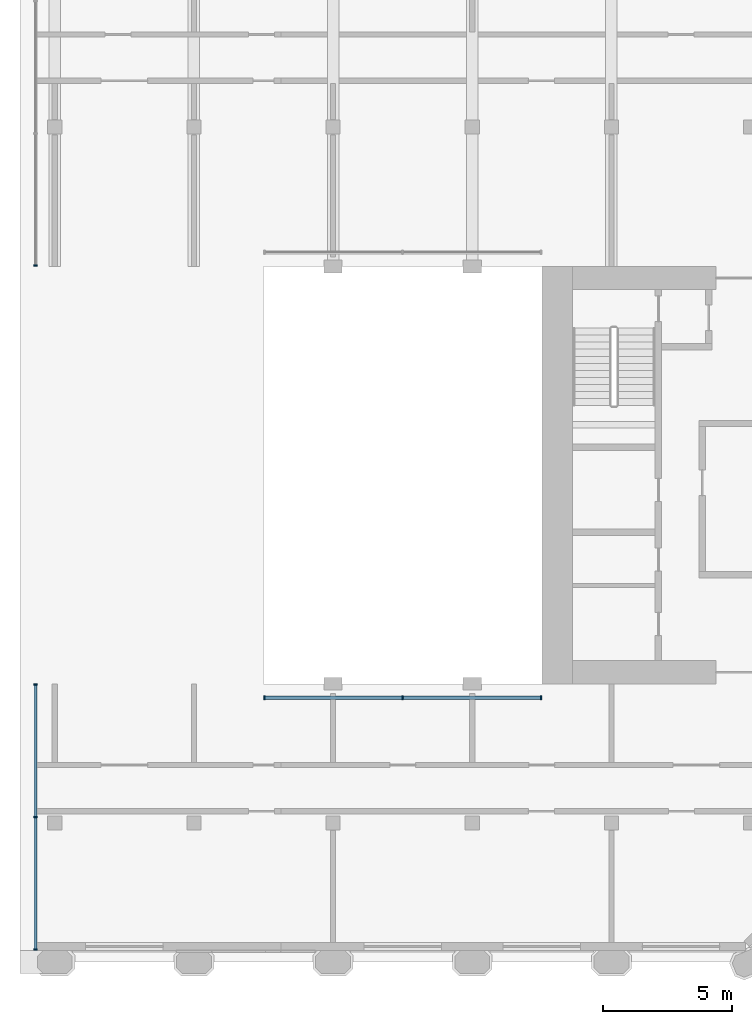
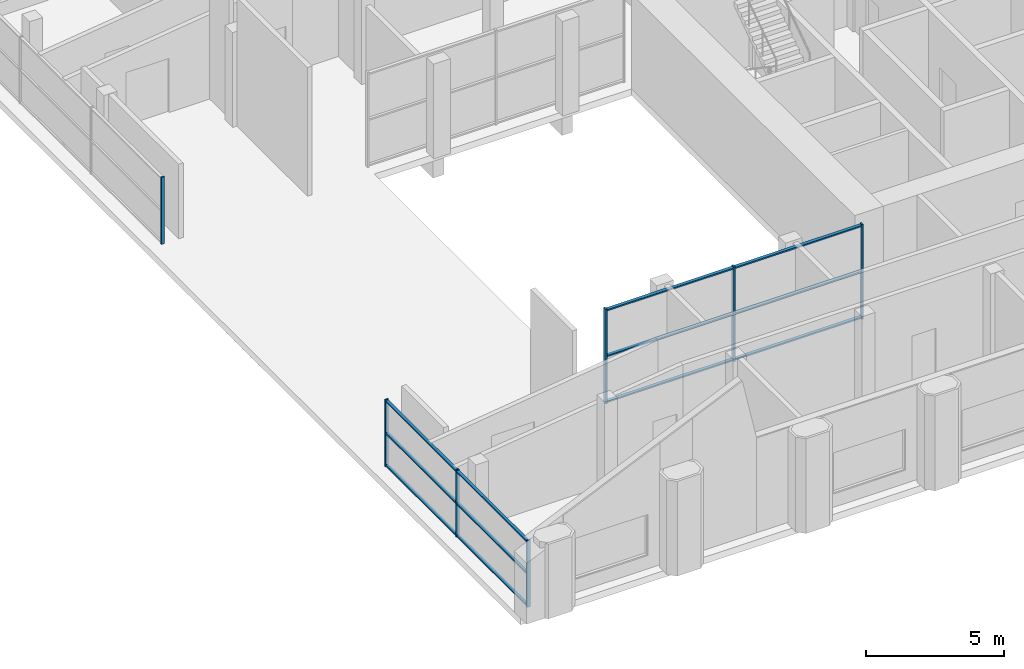
# One storey, part 2 of 9: 19 members, 3 elements without a shape of their own.
"""IFC4 building model written with IfcOpenShell, lengths in metres."""

from ifc_helpers import new_model, si_unit, direction, frame, origin, origin_2d, place, context, subcontext, project, spatial, rectangle, extrude, material, material_profile, profile_set, type_object, element, aggregate, save


model = new_model("IFC4")

# Units and contexts
model_context = context("Model", 3, precision=1e-05, world=origin(), true_north=direction((0.0, 1.0)))
body_context = subcontext(model_context, "Body", "Model", "MODEL_VIEW")
ifc_project = project(units=[si_unit("LENGTHUNIT", "METRE"), si_unit("AREAUNIT", "SQUARE_METRE"), si_unit("VOLUMEUNIT", "CUBIC_METRE"), si_unit("PLANEANGLEUNIT", "RADIAN"), si_unit("MASSUNIT", "GRAM", prefix="KILO")], contexts=[model_context])

# Site, building, storey
site_placement = place(None, origin())
site = spatial("IfcSite", under=ifc_project, at=site_placement, CompositionType="ELEMENT")
building_placement = place(site_placement, origin())
building = spatial("IfcBuilding", under=site, at=building_placement, Name="Tabaq Tower and Sports Hall", CompositionType="ELEMENT")
storey_placement = place(building_placement, frame((0.0, 0.0, 326.199951171875)))
storey = spatial("IfcBuildingStorey", under=building, at=storey_placement, Name="L81", CompositionType="ELEMENT", Elevation=326.199951171875)

# Curtain wall, members
ifc_material_1 = material(Name="Aluminium alloy 6063-T6 framed glazing", Category="aluminium")
curtain_wall_type_1 = type_object("IfcCurtainWallType", Name="CW1 curtain wall", PredefinedType="USERDEFINED", material=ifc_material_1)
curtain_wall_1_placement = place(storey_placement, origin())
curtain_wall_1 = element("IfcCurtainWall", 1, at=curtain_wall_1_placement, inside=storey, type_object=curtain_wall_type_1, Name="Atrium glazing L81 S", ObjectType="ATRIUM ENCLOSURE", PredefinedType="USERDEFINED")
ifc_material_2 = material(Name="Aluminium alloy 6063-T6", Category="aluminium")
ifc_material_profile_1 = material_profile(ifc_material_2, rectangle(XDim=0.159912109375, YDim=0.06005859375, at=origin_2d()), Name="MULLION 160x60")
ifc_profile_set_1 = profile_set([ifc_material_profile_1], Name="Aluminium alloy 6063-T6")
member_type_1 = type_object("IfcMemberType", Name="CW1 mullion 160x60", PredefinedType="MULLION", material=ifc_profile_set_1)
member_1_placement = place(storey_placement, frame((18.929931640625, 15.64990234375, 0.0), z_axis=(0.0, 0.0, 1.0), x_axis=(0.0, 1.0, 0.0)))
member_1 = element("IfcMember", 2, at=member_1_placement, type_object=member_type_1, Name="CW1 mullion 1", PredefinedType="MULLION", context=body_context, shape_type="SweptSolid", body=[
    extrude(rectangle(XDim=0.159912109375, YDim=0.06005859375, at=origin_2d()), origin(), (0.0, 0.0, 1.0), 4.199951171875),
])
member_2_placement = place(storey_placement, frame((24.300048828125, 15.64990234375, 0.0), z_axis=(0.0, 0.0, 1.0), x_axis=(0.0, 1.0, 0.0)))
member_2 = element("IfcMember", 3, at=member_2_placement, type_object=member_type_1, Name="CW1 mullion 2", PredefinedType="MULLION", context=body_context, shape_type="SweptSolid", body=[
    extrude(rectangle(XDim=0.159912109375, YDim=0.06005859375, at=origin_2d()), origin(), (0.0, 0.0, 1.0), 4.199951171875),
])
member_3_placement = place(storey_placement, frame((29.669921875, 15.64990234375, 0.0), z_axis=(0.0, 0.0, 1.0), x_axis=(0.0, 1.0, 0.0)))
member_3 = element("IfcMember", 4, at=member_3_placement, type_object=member_type_1, Name="CW1 mullion 3", PredefinedType="MULLION", context=body_context, shape_type="SweptSolid", body=[
    extrude(rectangle(XDim=0.159912109375, YDim=0.06005859375, at=origin_2d()), origin(), (0.0, 0.0, 1.0), 4.199951171875),
])
ifc_material_3 = material(Name="Aluminium alloy 6063-T6", Category="aluminium")
ifc_material_profile_2 = material_profile(ifc_material_3, rectangle(XDim=0.139892578125, YDim=0.06005859375, at=origin_2d()), Name="TRANSOM 140x60")
ifc_profile_set_2 = profile_set([ifc_material_profile_2], Name="Aluminium alloy 6063-T6")
member_type_2 = type_object("IfcMemberType", Name="CW1 transom 140x60", PredefinedType="USERDEFINED", material=ifc_profile_set_2)
member_4_placement = place(storey_placement, frame((18.9599609375, 15.64990234375, 0.070068359375), z_axis=(1.0, 0.0, 0.0), x_axis=(0.0, 1.0, 0.0)))
member_4 = element("IfcMember", 5, at=member_4_placement, type_object=member_type_2, Name="CW1 transom 1.1", ObjectType="TRANSOM", PredefinedType="USERDEFINED", context=body_context, shape_type="SweptSolid", body=[
    extrude(rectangle(XDim=0.139892578125, YDim=0.06005859375, at=origin_2d()), origin(), (0.0, 0.0, 1.0), 5.31005859375),
])
member_5_placement = place(storey_placement, frame((18.9599609375, 15.64990234375, 2.10009765625), z_axis=(1.0, 0.0, 0.0), x_axis=(0.0, 1.0, 0.0)))
member_5 = element("IfcMember", 6, at=member_5_placement, type_object=member_type_2, Name="CW1 transom 1.2", ObjectType="TRANSOM", PredefinedType="USERDEFINED", context=body_context, shape_type="SweptSolid", body=[
    extrude(rectangle(XDim=0.139892578125, YDim=0.06005859375, at=origin_2d()), origin(), (0.0, 0.0, 1.0), 5.31005859375),
])
member_6_placement = place(storey_placement, frame((18.9599609375, 15.64990234375, 4.130126953125), z_axis=(1.0, 0.0, 0.0), x_axis=(0.0, 1.0, 0.0)))
member_6 = element("IfcMember", 7, at=member_6_placement, type_object=member_type_2, Name="CW1 transom 1.3", ObjectType="TRANSOM", PredefinedType="USERDEFINED", context=body_context, shape_type="SweptSolid", body=[
    extrude(rectangle(XDim=0.139892578125, YDim=0.06005859375, at=origin_2d()), origin(), (0.0, 0.0, 1.0), 5.31005859375),
])
member_7_placement = place(storey_placement, frame((24.330078125, 15.64990234375, 0.070068359375), z_axis=(1.0, 0.0, 0.0), x_axis=(0.0, 1.0, 0.0)))
member_7 = element("IfcMember", 8, at=member_7_placement, type_object=member_type_2, Name="CW1 transom 2.1", ObjectType="TRANSOM", PredefinedType="USERDEFINED", context=body_context, shape_type="SweptSolid", body=[
    extrude(rectangle(XDim=0.139892578125, YDim=0.06005859375, at=origin_2d()), origin(), (0.0, 0.0, 1.0), 5.309814453125),
])
member_8_placement = place(storey_placement, frame((24.330078125, 15.64990234375, 2.10009765625), z_axis=(1.0, 0.0, 0.0), x_axis=(0.0, 1.0, 0.0)))
member_8 = element("IfcMember", 9, at=member_8_placement, type_object=member_type_2, Name="CW1 transom 2.2", ObjectType="TRANSOM", PredefinedType="USERDEFINED", context=body_context, shape_type="SweptSolid", body=[
    extrude(rectangle(XDim=0.139892578125, YDim=0.06005859375, at=origin_2d()), origin(), (0.0, 0.0, 1.0), 5.309814453125),
])
member_9_placement = place(storey_placement, frame((24.330078125, 15.64990234375, 4.130126953125), z_axis=(1.0, 0.0, 0.0), x_axis=(0.0, 1.0, 0.0)))
member_9 = element("IfcMember", 10, at=member_9_placement, type_object=member_type_2, Name="CW1 transom 2.3", ObjectType="TRANSOM", PredefinedType="USERDEFINED", context=body_context, shape_type="SweptSolid", body=[
    extrude(rectangle(XDim=0.139892578125, YDim=0.06005859375, at=origin_2d()), origin(), (0.0, 0.0, 1.0), 5.309814453125),
])
aggregate(curtain_wall_1, [member_1, member_2, member_3, member_4, member_5, member_6, member_7, member_8, member_9])

# Curtain wall, member
ifc_material_4 = material(Name="Aluminium alloy 6063-T6 framed glazing", Category="aluminium")
curtain_wall_type_2 = type_object("IfcCurtainWallType", Name="CW5 curtain wall", PredefinedType="USERDEFINED", material=ifc_material_4)
curtain_wall_2_placement = place(storey_placement, origin())
curtain_wall_2 = element("IfcCurtainWall", 11, at=curtain_wall_2_placement, inside=storey, type_object=curtain_wall_type_2, Name="Crown riser glazing L81", ObjectType="CROWN GLAZING", PredefinedType="USERDEFINED")
ifc_material_5 = material(Name="Aluminium alloy 6063-T6", Category="aluminium")
ifc_material_profile_3 = material_profile(ifc_material_5, rectangle(XDim=0.139892578125, YDim=0.06005859375, at=origin_2d()), Name="MULLION 140x60")
ifc_profile_set_3 = profile_set([ifc_material_profile_3], Name="Aluminium alloy 6063-T6")
member_type_3 = type_object("IfcMemberType", Name="CW5 mullion 140x60", PredefinedType="MULLION", material=ifc_profile_set_3)
member_10_placement = place(storey_placement, frame((10.050048828125, 32.429931640625, 0.0), z_axis=(0.0, 0.0, 1.0), x_axis=(1.0, 0.0, 0.0)))
member_10 = element("IfcMember", 12, at=member_10_placement, type_object=member_type_3, Name="CW5 mullion 4", PredefinedType="MULLION", context=body_context, shape_type="SweptSolid", body=[
    extrude(rectangle(XDim=0.139892578125, YDim=0.06005859375, at=origin_2d()), origin(), (0.0, 0.0, 1.0), 2.966796875),
])
aggregate(curtain_wall_2, [member_10])

# Curtain wall, members
curtain_wall_3_placement = place(storey_placement, origin())
curtain_wall_3 = element("IfcCurtainWall", 13, at=curtain_wall_3_placement, inside=storey, type_object=curtain_wall_type_2, Name="Crown riser glazing L81", ObjectType="CROWN GLAZING", PredefinedType="USERDEFINED")
member_11_placement = place(storey_placement, frame((10.050048828125, 16.169921875, 0.0), z_axis=(0.0, 0.0, 1.0), x_axis=(1.0, 0.0, 0.0)))
member_11 = element("IfcMember", 14, at=member_11_placement, type_object=member_type_3, Name="CW5 mullion 1", PredefinedType="MULLION", context=body_context, shape_type="SweptSolid", body=[
    extrude(rectangle(XDim=0.139892578125, YDim=0.06005859375, at=origin_2d()), origin(), (0.0, 0.0, 1.0), 2.966796875),
])
member_12_placement = place(storey_placement, frame((10.050048828125, 11.02490234375, 0.0), z_axis=(0.0, 0.0, 1.0), x_axis=(1.0, 0.0, 0.0)))
member_12 = element("IfcMember", 15, at=member_12_placement, type_object=member_type_3, Name="CW5 mullion 2", PredefinedType="MULLION", context=body_context, shape_type="SweptSolid", body=[
    extrude(rectangle(XDim=0.139892578125, YDim=0.06005859375, at=origin_2d()), origin(), (0.0, 0.0, 1.0), 2.966796875),
])
member_13_placement = place(storey_placement, frame((10.050048828125, 5.8798828125, 0.0), z_axis=(0.0, 0.0, 1.0), x_axis=(1.0, 0.0, 0.0)))
member_13 = element("IfcMember", 16, at=member_13_placement, type_object=member_type_3, Name="CW5 mullion 3", PredefinedType="MULLION", context=body_context, shape_type="SweptSolid", body=[
    extrude(rectangle(XDim=0.139892578125, YDim=0.06005859375, at=origin_2d()), origin(), (0.0, 0.0, 1.0), 2.966796875),
])
ifc_material_6 = material(Name="Aluminium alloy 6063-T6", Category="aluminium")
ifc_material_profile_4 = material_profile(ifc_material_6, rectangle(XDim=0.1201171875, YDim=0.06005859375, at=origin_2d()), Name="TRANSOM 120x60")
ifc_profile_set_4 = profile_set([ifc_material_profile_4], Name="Aluminium alloy 6063-T6")
member_type_4 = type_object("IfcMemberType", Name="CW5 transom 120x60", PredefinedType="USERDEFINED", material=ifc_profile_set_4)
member_14_placement = place(storey_placement, frame((10.050048828125, 16.139892578125, 0.06005859375), z_axis=(0.0, -1.0, 0.0), x_axis=(1.0, 0.0, 0.0)))
member_14 = element("IfcMember", 17, at=member_14_placement, type_object=member_type_4, Name="CW5 transom 1.1", ObjectType="TRANSOM", PredefinedType="USERDEFINED", context=body_context, shape_type="SweptSolid", body=[
    extrude(rectangle(XDim=0.1201171875, YDim=0.06005859375, at=origin_2d()), origin(), (0.0, 0.0, 1.0), 5.0849609375),
])
member_15_placement = place(storey_placement, frame((10.050048828125, 16.139892578125, 1.4833984375), z_axis=(0.0, -1.0, 0.0), x_axis=(1.0, 0.0, 0.0)))
member_15 = element("IfcMember", 18, at=member_15_placement, type_object=member_type_4, Name="CW5 transom 1.2", ObjectType="TRANSOM", PredefinedType="USERDEFINED", context=body_context, shape_type="SweptSolid", body=[
    extrude(rectangle(XDim=0.1201171875, YDim=0.06005859375, at=origin_2d()), origin(), (0.0, 0.0, 1.0), 5.0849609375),
])
member_16_placement = place(storey_placement, frame((10.050048828125, 16.139892578125, 2.90673828125), z_axis=(0.0, -1.0, 0.0), x_axis=(1.0, 0.0, 0.0)))
member_16 = element("IfcMember", 19, at=member_16_placement, type_object=member_type_4, Name="CW5 transom 1.3", ObjectType="TRANSOM", PredefinedType="USERDEFINED", context=body_context, shape_type="SweptSolid", body=[
    extrude(rectangle(XDim=0.1201171875, YDim=0.06005859375, at=origin_2d()), origin(), (0.0, 0.0, 1.0), 5.0849609375),
])
member_17_placement = place(storey_placement, frame((10.050048828125, 10.9951171875, 0.06005859375), z_axis=(0.0, -1.0, 0.0), x_axis=(1.0, 0.0, 0.0)))
member_17 = element("IfcMember", 20, at=member_17_placement, type_object=member_type_4, Name="CW5 transom 2.1", ObjectType="TRANSOM", PredefinedType="USERDEFINED", context=body_context, shape_type="SweptSolid", body=[
    extrude(rectangle(XDim=0.1201171875, YDim=0.06005859375, at=origin_2d()), origin(), (0.0, 0.0, 1.0), 5.085205078125),
])
member_18_placement = place(storey_placement, frame((10.050048828125, 10.9951171875, 1.4833984375), z_axis=(0.0, -1.0, 0.0), x_axis=(1.0, 0.0, 0.0)))
member_18 = element("IfcMember", 21, at=member_18_placement, type_object=member_type_4, Name="CW5 transom 2.2", ObjectType="TRANSOM", PredefinedType="USERDEFINED", context=body_context, shape_type="SweptSolid", body=[
    extrude(rectangle(XDim=0.1201171875, YDim=0.06005859375, at=origin_2d()), origin(), (0.0, 0.0, 1.0), 5.085205078125),
])
member_19_placement = place(storey_placement, frame((10.050048828125, 10.9951171875, 2.90673828125), z_axis=(0.0, -1.0, 0.0), x_axis=(1.0, 0.0, 0.0)))
member_19 = element("IfcMember", 22, at=member_19_placement, type_object=member_type_4, Name="CW5 transom 2.3", ObjectType="TRANSOM", PredefinedType="USERDEFINED", context=body_context, shape_type="SweptSolid", body=[
    extrude(rectangle(XDim=0.1201171875, YDim=0.06005859375, at=origin_2d()), origin(), (0.0, 0.0, 1.0), 5.085205078125),
])
aggregate(curtain_wall_3, [member_11, member_12, member_13, member_14, member_15, member_16, member_17, member_18, member_19])

save(model, "model.ifc")
